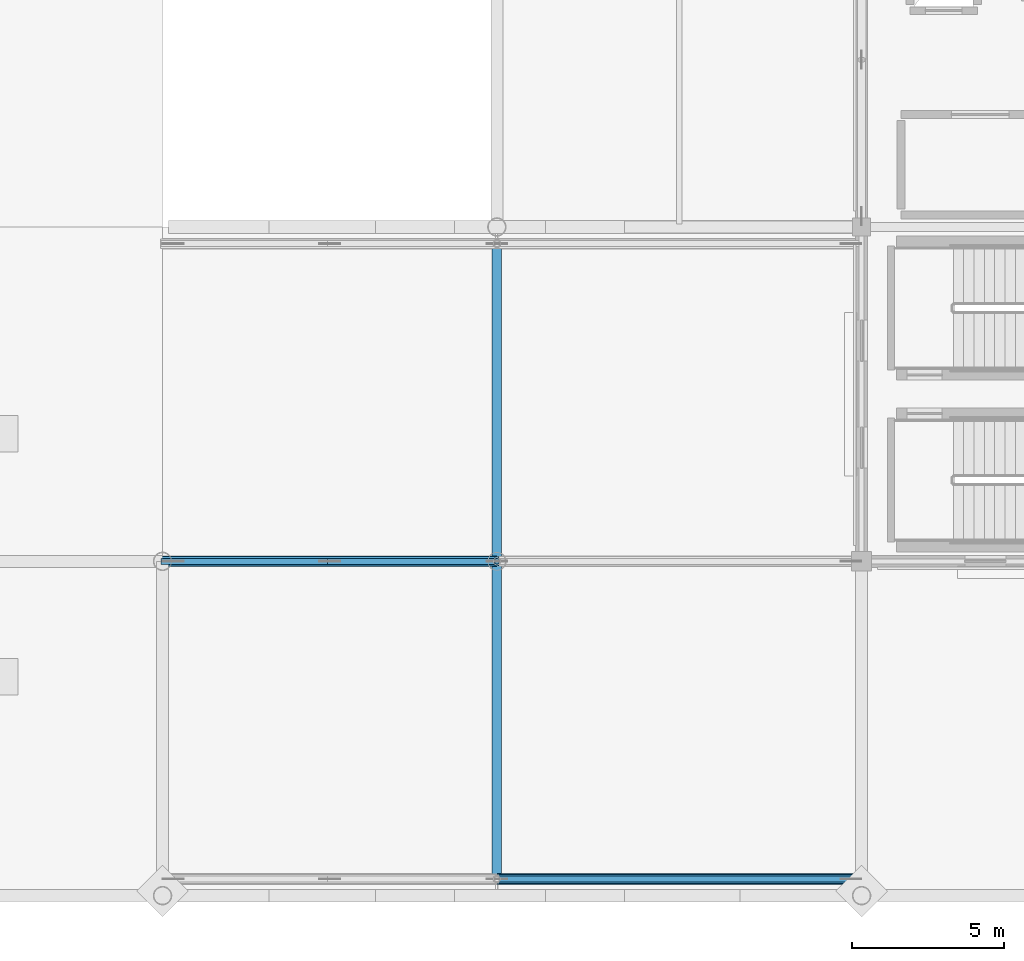
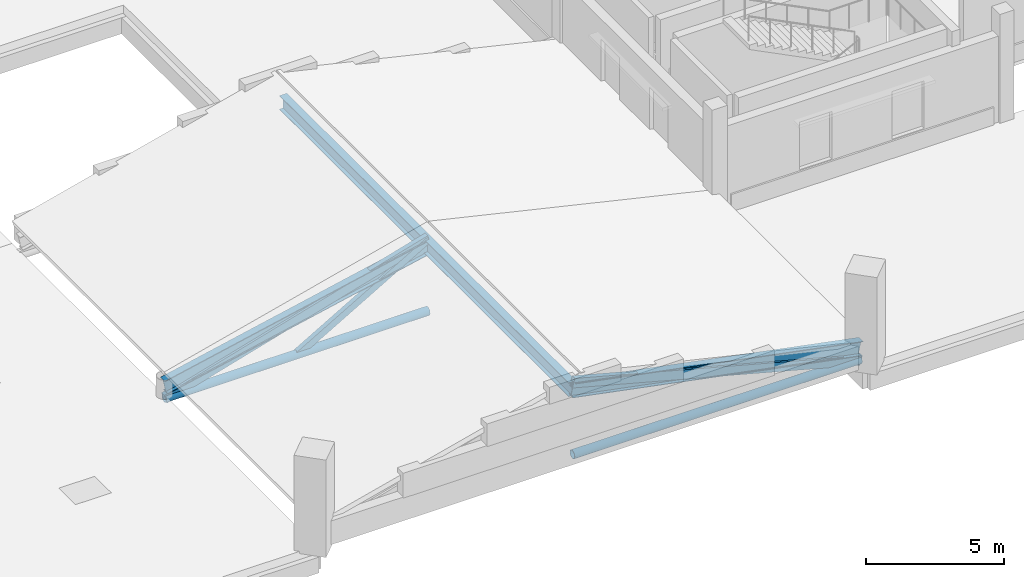
# One storey, part 25 of 77: 5 members, 3 beams.
"""IFC4 building model written with IfcOpenShell, lengths in metres."""

from ifc_helpers import new_model, si_unit, direction, frame, origin, origin_2d, place, context, subcontext, project, spatial, hollow_rectangle, hollow_circle, i_section, extrude, material, material_profile, profile_set, type_object, element, save


model = new_model("IFC4")

# Units and contexts
model_context = context("Model", 3, precision=1e-05, world=origin(), true_north=direction((0.0, 1.0)))
body_context = subcontext(model_context, "Body", "Model", "MODEL_VIEW")
ifc_project = project(units=[si_unit("LENGTHUNIT", "METRE"), si_unit("AREAUNIT", "SQUARE_METRE"), si_unit("VOLUMEUNIT", "CUBIC_METRE"), si_unit("PLANEANGLEUNIT", "RADIAN"), si_unit("MASSUNIT", "GRAM", prefix="KILO")], contexts=[model_context])

# Site, building, storey
site_placement = place(None, origin())
site = spatial("IfcSite", under=ifc_project, at=site_placement, CompositionType="ELEMENT")
building_placement = place(site_placement, origin())
building = spatial("IfcBuilding", under=site, at=building_placement, Name="Luwafu Chhajja Arena", CompositionType="ELEMENT")
storey_placement = place(building_placement, frame((0.0, 0.0, 14.699951171875)))
storey = spatial("IfcBuildingStorey", under=building, at=storey_placement, Name="L03", CompositionType="ELEMENT", Elevation=14.699951171875)

# Members
ifc_material = material(Name="Steel S355", Category="steel")
ifc_material_profile_1 = material_profile(ifc_material, hollow_rectangle(XDim=0.199951171875, YDim=0.39990234375, WallThickness=0.013916015625, at=origin_2d()), Name="RHS 400x200x14")
ifc_profile_set_1 = profile_set([ifc_material_profile_1], Name="Steel S355")
member_type_1 = type_object("IfcMemberType", Name="Pishtaq Roof Truss Chord RHS 400x200", PredefinedType="CHORD", material=ifc_profile_set_1)
member_1_placement = place(storey_placement, frame((22.0, 0.550048828125, 3.050048828125), z_axis=(0.966235918422, 0.0, -0.257658979955), x_axis=(0.0, 1.0, 0.0)))
element("IfcMember", 1, at=member_1_placement, inside=storey, type_object=member_type_1, Name="Pishtaq Roof Truss Chord 0E", PredefinedType="CHORD", context=body_context, shape_type="SweptSolid", body=[
    extrude(hollow_rectangle(XDim=0.199951171875, YDim=0.39990234375, WallThickness=0.013916015625, at=origin_2d()), origin(), (0.0, 0.0, 1.0), 12.41943359375),
])
member_2_placement = place(storey_placement, frame((11.0, 11.0, -0.14990234375), z_axis=(0.960196439774, 0.0, 0.279325611153), x_axis=(0.0, 1.0, 0.0)))
element("IfcMember", 2, at=member_2_placement, inside=storey, type_object=member_type_1, Name="Pishtaq Roof Truss Chord 1W", PredefinedType="CHORD", context=body_context, shape_type="SweptSolid", body=[
    extrude(hollow_rectangle(XDim=0.199951171875, YDim=0.39990234375, WallThickness=0.013916015625, at=origin_2d()), origin(), (0.0, 0.0, 1.0), 11.4560546875),
])
ifc_material_profile_2 = material_profile(ifc_material, hollow_rectangle(XDim=0.199951171875, YDim=0.300048828125, WallThickness=0.011962890625, at=origin_2d()), Name="RHS 300x200x12")
ifc_profile_set_2 = profile_set([ifc_material_profile_2], Name="Steel S355")
member_type_2 = type_object("IfcMemberType", Name="Portal Frame Brace RHS 300x200", PredefinedType="BRACE", material=ifc_profile_set_2)
member_3_placement = place(storey_placement, frame((16.5, 11.0, -0.14990234375), z_axis=(0.864351673204, 0.0, 0.502887845378), x_axis=(0.0, 1.0, 0.0)))
element("IfcMember", 3, at=member_3_placement, inside=storey, type_object=member_type_2, Name="Pishtaq Roof Web 1E", PredefinedType="BRACE", context=body_context, shape_type="SweptSolid", body=[
    extrude(hollow_rectangle(XDim=0.199951171875, YDim=0.300048828125, WallThickness=0.011962890625, at=origin_2d()), origin(), (0.0, 0.0, 1.0), 6.363037109375),
])

# Beams
ifc_material_profile_3 = material_profile(ifc_material, i_section(OverallWidth=0.30712890625, OverallDepth=0.6201171875, WebThickness=0.01416015625, FlangeThickness=0.023681640625, at=origin_2d()), Name="UB 610x305x179")
ifc_profile_set_3 = profile_set([ifc_material_profile_3], Name="Steel S355")
beam_type = type_object("IfcBeamType", Name="Steel Hospitality Girder UB 610x305x179", PredefinedType="BEAM", material=ifc_profile_set_3)
beam_1_placement = place(storey_placement, frame((22.0, 0.550048828125, 2.75), z_axis=(0.0, 1.0, 0.0), x_axis=(-1.0, 0.0, 0.0)))
element("IfcBeam", 4, at=beam_1_placement, inside=storey, type_object=beam_type, Name="Pishtaq Spine Girder", PredefinedType="BEAM", context=body_context, shape_type="SweptSolid", body=[
    extrude(i_section(OverallWidth=0.30712890625, OverallDepth=0.6201171875, WebThickness=0.01416015625, FlangeThickness=0.023681640625, at=origin_2d()), origin(), (0.0, 0.0, 1.0), 20.89990234375),
])
beam_2_placement = place(storey_placement, frame((22.0, 0.550048828125, 2.75), z_axis=(0.981361398086, 0.0, -0.192171294283), x_axis=(0.0, 1.0, 0.0)))
element("IfcBeam", 5, at=beam_2_placement, inside=storey, type_object=beam_type, Name="Pishtaq East Rafter 0", PredefinedType="BEAM", context=body_context, shape_type="SweptSolid", body=[
    extrude(i_section(OverallWidth=0.30712890625, OverallDepth=0.6201171875, WebThickness=0.01416015625, FlangeThickness=0.023681640625, at=origin_2d()), origin(), (0.0, 0.0, 1.0), 12.22802734375),
])
beam_3_placement = place(storey_placement, frame((11.0, 11.0, 0.400146484375), z_axis=(0.977934988099, 0.0, 0.208909451803), x_axis=(0.0, 1.0, 0.0)))
element("IfcBeam", 6, at=beam_3_placement, inside=storey, type_object=beam_type, Name="Pishtaq West Rafter 1", PredefinedType="BEAM", context=body_context, shape_type="SweptSolid", body=[
    extrude(i_section(OverallWidth=0.30712890625, OverallDepth=0.6201171875, WebThickness=0.01416015625, FlangeThickness=0.023681640625, at=origin_2d()), origin(), (0.0, 0.0, 1.0), 11.248291015625),
])

# Members
ifc_material_profile_4 = material_profile(ifc_material, hollow_circle(Radius=0.177734375, WallThickness=0.01416015625, at=origin_2d()), Name="CHS 355.6x14.2")
ifc_profile_set_4 = profile_set([ifc_material_profile_4], Name="Steel S355")
member_type_3 = type_object("IfcMemberType", Name="Warm-Up Truss Bottom Chord CHS 355", PredefinedType="CHORD", material=ifc_profile_set_4)
member_4_placement = place(storey_placement, frame((22.0, 0.550048828125, -0.14990234375), z_axis=(1.0, 0.0, 0.0), x_axis=(0.0, 1.0, 0.0)))
element("IfcMember", 7, at=member_4_placement, inside=storey, type_object=member_type_3, Name="Pishtaq Roof Truss Tie 0E", PredefinedType="CHORD", context=body_context, shape_type="SweptSolid", body=[
    extrude(hollow_circle(Radius=0.177734375, WallThickness=0.01416015625, at=origin_2d()), origin(), (0.0, 0.0, 1.0), 12.0),
])
member_5_placement = place(storey_placement, frame((11.0, 11.0, -0.14990234375), z_axis=(1.0, 0.0, 0.0), x_axis=(0.0, 1.0, 0.0)))
element("IfcMember", 8, at=member_5_placement, inside=storey, type_object=member_type_3, Name="Pishtaq Roof Truss Tie 1W", PredefinedType="CHORD", context=body_context, shape_type="SweptSolid", body=[
    extrude(hollow_circle(Radius=0.177734375, WallThickness=0.01416015625, at=origin_2d()), origin(), (0.0, 0.0, 1.0), 11.0),
])

save(model, "model.ifc")
